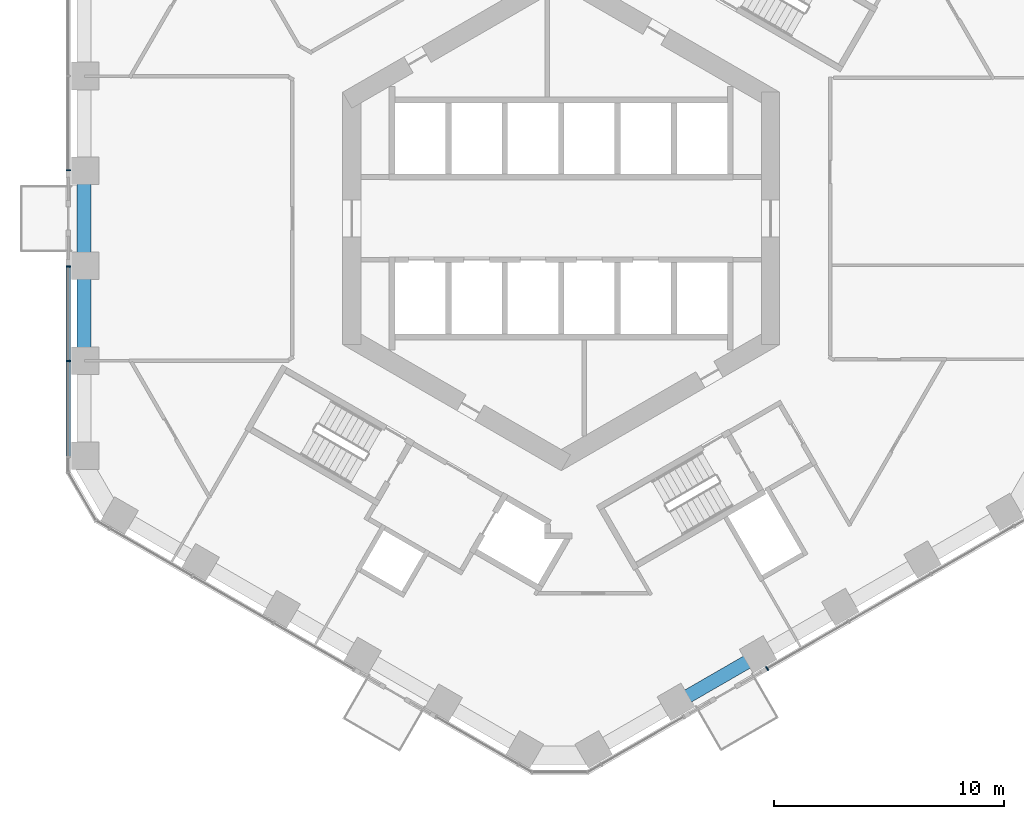
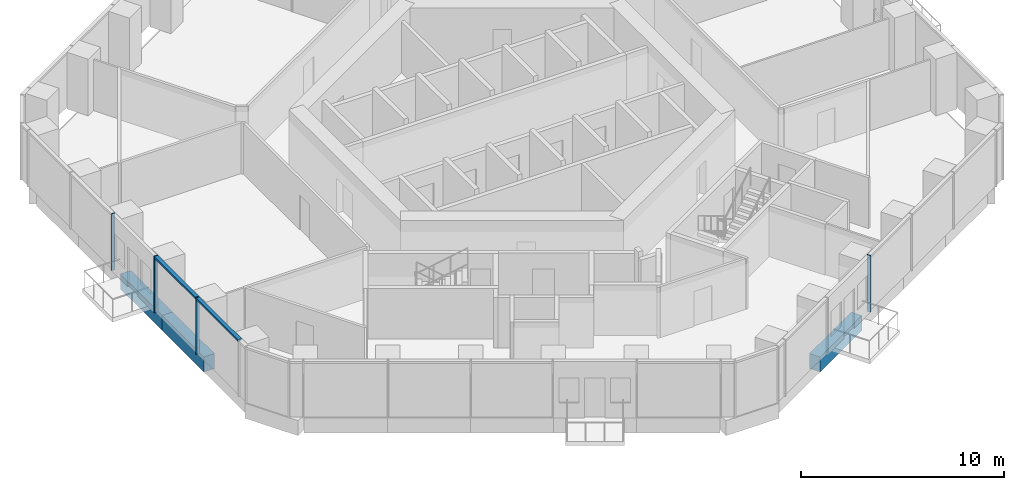
# One storey, part 3 of 20: 5 members, 3 beams, 3 elements without a shape of their own.
"""IFC4 building model written with IfcOpenShell, lengths in metres."""

from ifc_helpers import new_model, si_unit, direction, frame, origin, origin_2d, place, context, subcontext, project, spatial, rectangle, extrude, material, layer, layer_set, material_profile, profile_set, type_object, element, aggregate, save


model = new_model("IFC4")

# Units and contexts
model_context = context("Model", 3, precision=1e-05, world=origin(), true_north=direction((0.0, 1.0)))
body_context = subcontext(model_context, "Body", "Model", "MODEL_VIEW")
ifc_project = project(units=[si_unit("LENGTHUNIT", "METRE"), si_unit("AREAUNIT", "SQUARE_METRE"), si_unit("VOLUMEUNIT", "CUBIC_METRE"), si_unit("PLANEANGLEUNIT", "RADIAN"), si_unit("MASSUNIT", "GRAM", prefix="KILO")], contexts=[model_context])

# Site, building, storey
site_placement = place(None, origin())
site = spatial("IfcSite", under=ifc_project, at=site_placement, CompositionType="ELEMENT")
building_placement = place(site_placement, origin())
building = spatial("IfcBuilding", under=site, at=building_placement, Name="Ayvan Gate Tower", CompositionType="ELEMENT")
storey_placement = place(building_placement, frame((0.0, 0.0, 28.89990234375)))
storey = spatial("IfcBuildingStorey", under=building, at=storey_placement, Name="L06", CompositionType="ELEMENT", Elevation=28.89990234375)

# Beams
ifc_material_1 = material(Name="Concrete C40/50", Category="concrete")
ifc_material_profile_1 = material_profile(ifc_material_1, rectangle(XDim=0.60009765625, YDim=0.89990234375, at=origin_2d()), Name="RC 600x900")
ifc_profile_set_1 = profile_set([ifc_material_profile_1], Name="Concrete C40/50")
beam_type = type_object("IfcBeamType", Name="Spandrel beam RC 600x900 C40/50", PredefinedType="BEAM", material=ifc_profile_set_1)
for number, where, z_axis, x_axis, name in (
    (1, (-20.7392578125, 2.058837890625, -0.7998046875), (0.0, -1.0, 0.0), (1.0, 0.0, 0.0), "SB-L06-21"),
    (2, (-20.7392578125, -2.058837890625, -0.7998046875), (0.0, -1.0, 0.0), (1.0, 0.0, 0.0), "SB-L06-22"),
):
    element("IfcBeam", number, at=place(storey_placement, frame(where, z_axis=z_axis, x_axis=x_axis)), inside=storey, type_object=beam_type, Name=name, PredefinedType="BEAM", context=body_context, shape_type="SweptSolid", body=[
        extrude(rectangle(XDim=0.60009765625, YDim=0.89990234375, at=origin_2d()), origin(), (0.0, 0.0, 1.0), 4.11767578125),
    ])
beam_placement = place(storey_placement, frame((5.0205078125, -21.048828125, -0.7998046875), z_axis=(0.866034527326, 0.49998419723, 0.0), x_axis=(-0.49998419723, 0.866034527326, 0.0)))
element("IfcBeam", 3, at=beam_placement, inside=storey, type_object=beam_type, Name="SB-L06-32", PredefinedType="BEAM", context=body_context, shape_type="SweptSolid", body=[
    extrude(rectangle(XDim=0.60009765625, YDim=0.89990234375, at=origin_2d()), origin(), (0.0, 0.0, 1.0), 4.117919921875),
])

# Curtain wall, member
ifc_material_2 = material(Name="Bronze anodised aluminium", Category="aluminium")
ifc_layer = layer(ifc_material_2, 0.199951171875)
ifc_layer_set = layer_set([ifc_layer], Name="Bronze anodised aluminium")
curtain_wall_type = type_object("IfcCurtainWallType", Name="Stick curtain wall CW-1", PredefinedType="NOTDEFINED", material=ifc_layer_set)
curtain_wall_1_placement = place(storey_placement, origin())
curtain_wall_1 = element("IfcCurtainWall", 4, at=curtain_wall_1_placement, inside=storey, type_object=curtain_wall_type, Name="Stick curtain wall CW-1 L06", PredefinedType="NOTDEFINED")
ifc_material_profile_2 = material_profile(ifc_material_2, rectangle(XDim=0.199951171875, YDim=0.06005859375, at=origin_2d()), Name="Stick curtain wall CW-1 mullion 200 x 60")
ifc_profile_set_2 = profile_set([ifc_material_profile_2], Name="Bronze anodised aluminium")
member_type_1 = type_object("IfcMemberType", Name="Stick curtain wall CW-1 mullion 200 x 60", PredefinedType="MULLION", material=ifc_profile_set_2)
member_1_placement = place(storey_placement, frame((-21.42529296875, 2.09326171875, 0.0), z_axis=(0.0, 0.0, 1.0), x_axis=(-1.0, 0.0, 0.0)))
member_1 = element("IfcMember", 5, at=member_1_placement, type_object=member_type_1, Name="CW-1 mullion 3", PredefinedType="MULLION", context=body_context, shape_type="SweptSolid", body=[
    extrude(rectangle(XDim=0.199951171875, YDim=0.06005859375, at=origin_2d()), origin(), (0.0, 0.0, 1.0), 3.400146484375),
])
aggregate(curtain_wall_1, [member_1])

# Curtain wall, members
curtain_wall_2_placement = place(storey_placement, origin())
curtain_wall_2 = element("IfcCurtainWall", 6, at=curtain_wall_2_placement, inside=storey, type_object=curtain_wall_type, Name="Stick curtain wall CW-1 L06", PredefinedType="NOTDEFINED")
member_2_placement = place(storey_placement, frame((-21.42529296875, -2.09375, 0.0), z_axis=(0.0, 0.0, 1.0), x_axis=(-1.0, 0.0, 0.0)))
member_2 = element("IfcMember", 7, at=member_2_placement, type_object=member_type_1, Name="CW-1 mullion 1", PredefinedType="MULLION", context=body_context, shape_type="SweptSolid", body=[
    extrude(rectangle(XDim=0.199951171875, YDim=0.06005859375, at=origin_2d()), origin(), (0.0, 0.0, 1.0), 3.400146484375),
])
member_3_placement = place(storey_placement, frame((-21.42529296875, -6.191650390625, 0.0), z_axis=(0.0, 0.0, 1.0), x_axis=(-1.0, 0.0, 0.0)))
member_3 = element("IfcMember", 8, at=member_3_placement, type_object=member_type_1, Name="CW-1 mullion 2", PredefinedType="MULLION", context=body_context, shape_type="SweptSolid", body=[
    extrude(rectangle(XDim=0.199951171875, YDim=0.06005859375, at=origin_2d()), origin(), (0.0, 0.0, 1.0), 3.400146484375),
])

# Curtain wall, member
curtain_wall_3_placement = place(storey_placement, origin())
curtain_wall_3 = element("IfcCurtainWall", 9, at=curtain_wall_3_placement, inside=storey, type_object=curtain_wall_type, Name="Stick curtain wall CW-1 L06", PredefinedType="NOTDEFINED")
member_4_placement = place(storey_placement, frame((8.95166015625, -19.571533203125, 0.0), z_axis=(0.0, 0.0, 1.0), x_axis=(0.5, -0.866025403784, 0.0)))
member_4 = element("IfcMember", 10, at=member_4_placement, type_object=member_type_1, Name="CW-1 mullion 1", PredefinedType="MULLION", context=body_context, shape_type="SweptSolid", body=[
    extrude(rectangle(XDim=0.199951171875, YDim=0.06005859375, at=origin_2d()), origin(), (0.0, 0.0, 1.0), 3.400146484375),
])
aggregate(curtain_wall_3, [member_4])

# Member
ifc_material_profile_3 = material_profile(ifc_material_2, rectangle(XDim=0.199951171875, YDim=0.1201171875, at=origin_2d()), Name="Stick curtain wall CW-1 transom 200 x 120")
ifc_profile_set_3 = profile_set([ifc_material_profile_3], Name="Bronze anodised aluminium")
member_type_2 = type_object("IfcMemberType", Name="Stick curtain wall CW-1 transom 200 x 120", PredefinedType="USERDEFINED", material=ifc_profile_set_3)
member_5_placement = place(storey_placement, frame((-21.42529296875, -2.09375, 3.340087890625), z_axis=(0.0, -1.0, 0.0), x_axis=(1.0, 0.0, 0.0)))
member_5 = element("IfcMember", 11, at=member_5_placement, type_object=member_type_2, Name="CW-1 transom 1", ObjectType="TRANSOM", PredefinedType="USERDEFINED", context=body_context, shape_type="SweptSolid", body=[
    extrude(rectangle(XDim=0.199951171875, YDim=0.1201171875, at=origin_2d()), origin(), (0.0, 0.0, 1.0), 8.2705078125),
])

aggregate(curtain_wall_2, [member_2, member_3, member_5])

save(model, "model.ifc")
